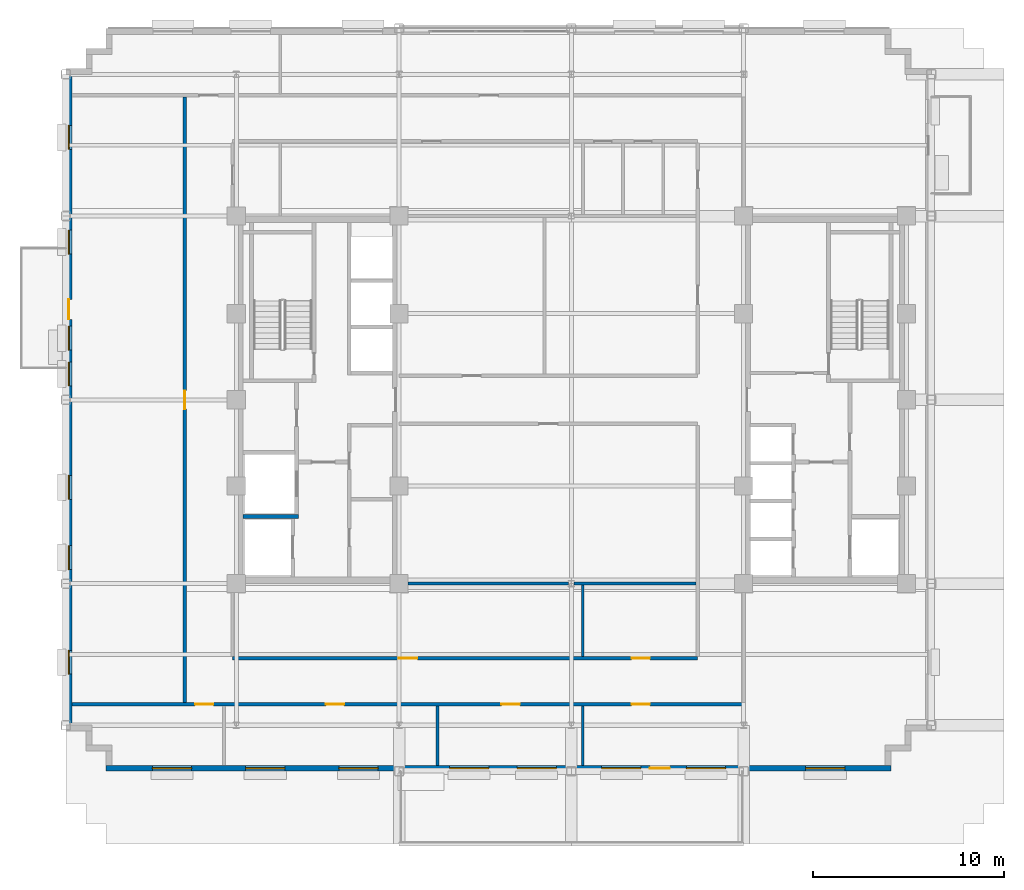
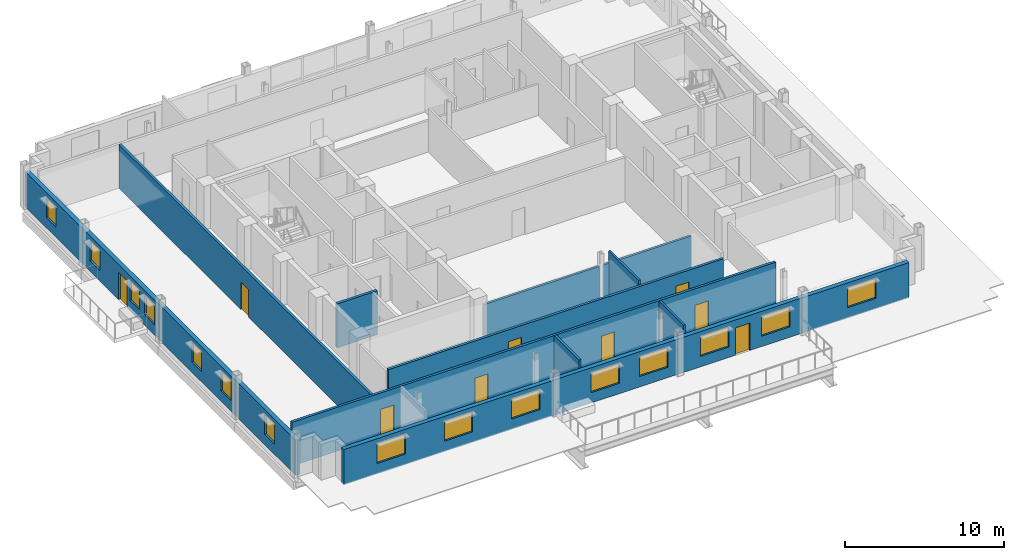
# One storey, part 7 of 16: 15 windows, 11 walls, 9 doors, 24 openings.
"""IFC4 building model written with IfcOpenShell, lengths in metres."""

from ifc_helpers import new_model, si_unit, direction, frame, frame_2d, origin, place, context, subcontext, project, spatial, rectangle, extrude, source, transform, mapped, material, layer, layer_set, type_object, type_shapes, element, fill, save


model = new_model("IFC4")

# Units and contexts
model_context = context("Model", 3, precision=1e-05, world=origin(), true_north=direction((0.0, 1.0)))
body_context = subcontext(model_context, "Body", "Model", "MODEL_VIEW")
ifc_project = project(units=[si_unit("LENGTHUNIT", "METRE"), si_unit("AREAUNIT", "SQUARE_METRE"), si_unit("VOLUMEUNIT", "CUBIC_METRE"), si_unit("PLANEANGLEUNIT", "RADIAN"), si_unit("MASSUNIT", "GRAM", prefix="KILO")], contexts=[model_context])

# Site, building, storey
site_placement = place(None, origin())
site = spatial("IfcSite", under=ifc_project, at=site_placement, CompositionType="ELEMENT")
building_placement = place(site_placement, origin())
building = spatial("IfcBuilding", under=site, at=building_placement, Name="Nuvemarco Arch Tower", CompositionType="ELEMENT")
storey_placement = place(building_placement, frame((0.0, 0.0, 209.14990234375)))
storey = spatial("IfcBuildingStorey", under=building, at=storey_placement, Name="L55", CompositionType="ELEMENT", Elevation=209.14990234375)

# Wall, openings, door, windows
ifc_material_1 = material(Name="Precast concrete C45/55", Category="concrete")
ifc_layer_1 = layer(ifc_material_1, 0.31005859375, Name="EW-UPP-310")
ifc_layer_set_1 = layer_set([ifc_layer_1], Name="Precast concrete C45/55")
wall_type_1 = type_object("IfcWallType", Name="EW-UPP-310", PredefinedType="STANDARD", material=ifc_layer_set_1)
wall_1_placement = place(storey_placement, frame((-24.300048828125, -19.2451171875, 0.0), z_axis=(0.0, 0.0, 1.0), x_axis=(1.0, 0.0, 0.0)))
wall_1 = element("IfcWall", 1, at=wall_1_placement, inside=storey, type_object=wall_type_1, Name="L55 exterior precast facade wall 1", PredefinedType="STANDARD", context=body_context, shape_type="SweptSolid", body=[
    extrude(rectangle(XDim=41.0, YDim=0.31005859375, at=frame_2d((20.5, 0.0))), origin(), (0.0, 0.0, 1.0), 2.705078125),
])
opening_1_placement = place(wall_1_placement, frame((29.449951171875, 0.0, 0.0), z_axis=(0.0, 0.0, 1.0), x_axis=(-1.0, 0.0, 0.0)))
opening_1 = element("IfcOpeningElement", 2, at=opening_1_placement, cuts=wall_1, Name="Opening ED-5", PredefinedType="OPENING", context=body_context, shape_type="SweptSolid", body=[
    extrude(rectangle(XDim=1.050048828125, YDim=2.10009765625, at=frame_2d((0.52490234375, 1.050048828125))), frame((0.0, 0.1650390625, 0.0), z_axis=(0.0, -1.0, 0.0), x_axis=(1.0, 0.0, 0.0)), (0.0, 0.0, 1.0), 0.330078125),
])
opening_2_placement = place(wall_1_placement, frame((2.41259765625, 0.0, 0.800048828125)))
opening_2 = element("IfcOpeningElement", 3, at=opening_2_placement, cuts=wall_1, Name="Opening WN-12", PredefinedType="OPENING", context=body_context, shape_type="SweptSolid", body=[
    extrude(rectangle(XDim=2.050048828125, YDim=1.52001953125, at=frame_2d((1.02490234375, 0.760009765625))), frame((0.0, 0.1650390625, 0.0), z_axis=(0.0, -1.0, 0.0), x_axis=(1.0, 0.0, 0.0)), (0.0, 0.0, 1.0), 0.330078125),
])
opening_3_placement = place(wall_1_placement, frame((7.28759765625, 0.0, 0.800048828125)))
opening_3 = element("IfcOpeningElement", 4, at=opening_3_placement, cuts=wall_1, Name="Opening WN-12", PredefinedType="OPENING", context=body_context, shape_type="SweptSolid", body=[
    extrude(rectangle(XDim=2.050048828125, YDim=1.52001953125, at=frame_2d((1.02490234375, 0.760009765625))), frame((0.0, 0.1650390625, 0.0), z_axis=(0.0, -1.0, 0.0), x_axis=(1.0, 0.0, 0.0)), (0.0, 0.0, 1.0), 0.330078125),
])
opening_4_placement = place(wall_1_placement, frame((12.16259765625, 0.0, 0.800048828125)))
opening_4 = element("IfcOpeningElement", 5, at=opening_4_placement, cuts=wall_1, Name="Opening WN-12", PredefinedType="OPENING", context=body_context, shape_type="SweptSolid", body=[
    extrude(rectangle(XDim=2.050048828125, YDim=1.52001953125, at=frame_2d((1.02490234375, 0.760009765625))), frame((0.0, 0.1650390625, 0.0), z_axis=(0.0, -1.0, 0.0), x_axis=(1.0, 0.0, 0.0)), (0.0, 0.0, 1.0), 0.330078125),
])
opening_5_placement = place(wall_1_placement, frame((17.9375, 0.0, 0.800048828125)))
opening_5 = element("IfcOpeningElement", 6, at=opening_5_placement, cuts=wall_1, Name="Opening WN-12", PredefinedType="OPENING", context=body_context, shape_type="SweptSolid", body=[
    extrude(rectangle(XDim=2.050048828125, YDim=1.52001953125, at=frame_2d((1.02490234375, 0.760009765625))), frame((0.0, 0.1650390625, 0.0), z_axis=(0.0, -1.0, 0.0), x_axis=(1.0, 0.0, 0.0)), (0.0, 0.0, 1.0), 0.330078125),
])
opening_6_placement = place(wall_1_placement, frame((21.46240234375, 0.0, 0.800048828125)))
opening_6 = element("IfcOpeningElement", 7, at=opening_6_placement, cuts=wall_1, Name="Opening WN-12", PredefinedType="OPENING", context=body_context, shape_type="SweptSolid", body=[
    extrude(rectangle(XDim=2.050048828125, YDim=1.52001953125, at=frame_2d((1.02490234375, 0.760009765625))), frame((0.0, 0.1650390625, 0.0), z_axis=(0.0, -1.0, 0.0), x_axis=(1.0, 0.0, 0.0)), (0.0, 0.0, 1.0), 0.330078125),
])
opening_7_placement = place(wall_1_placement, frame((25.887451171875, 0.0, 0.800048828125)))
opening_7 = element("IfcOpeningElement", 8, at=opening_7_placement, cuts=wall_1, Name="Opening WN-12", PredefinedType="OPENING", context=body_context, shape_type="SweptSolid", body=[
    extrude(rectangle(XDim=2.050048828125, YDim=1.52001953125, at=frame_2d((1.02490234375, 0.760009765625))), frame((0.0, 0.1650390625, 0.0), z_axis=(0.0, -1.0, 0.0), x_axis=(1.0, 0.0, 0.0)), (0.0, 0.0, 1.0), 0.330078125),
])
opening_8_placement = place(wall_1_placement, frame((30.3125, 0.0, 0.800048828125)))
opening_8 = element("IfcOpeningElement", 9, at=opening_8_placement, cuts=wall_1, Name="Opening WN-12", PredefinedType="OPENING", context=body_context, shape_type="SweptSolid", body=[
    extrude(rectangle(XDim=2.050048828125, YDim=1.52001953125, at=frame_2d((1.02490234375, 0.760009765625))), frame((0.0, 0.1650390625, 0.0), z_axis=(0.0, -1.0, 0.0), x_axis=(1.0, 0.0, 0.0)), (0.0, 0.0, 1.0), 0.330078125),
])
opening_9_placement = place(wall_1_placement, frame((36.53759765625, 0.0, 0.800048828125)))
opening_9 = element("IfcOpeningElement", 10, at=opening_9_placement, cuts=wall_1, Name="Opening WN-12", PredefinedType="OPENING", context=body_context, shape_type="SweptSolid", body=[
    extrude(rectangle(XDim=2.050048828125, YDim=1.52001953125, at=frame_2d((1.02490234375, 0.760009765625))), frame((0.0, 0.1650390625, 0.0), z_axis=(0.0, -1.0, 0.0), x_axis=(1.0, 0.0, 0.0)), (0.0, 0.0, 1.0), 0.330078125),
])
ifc_material_2 = material(Name="Anodised bronze and laminated glass", Category="glass")
door_type_1 = type_object("IfcDoorType", Name="DR-EXT-TERR", OperationType="NOTDEFINED", PredefinedType="DOOR", material=ifc_material_2)
shared_shape_1 = source(origin(), body_context, "Body", "SweptSolid", [
    extrude(rectangle(XDim=1.050048828125, YDim=2.10009765625, at=frame_2d((0.52490234375, 1.050048828125))), frame((0.0, 0.02490234375, 0.0), z_axis=(0.0, -1.0, 0.0), x_axis=(1.0, 0.0, 0.0)), (0.0, 0.0, 1.0), 0.050048828125),
])
type_shapes(door_type_1, [shared_shape_1])
door_1_placement = place(opening_1_placement, origin())
door_1 = element("IfcDoor", 11, at=door_1_placement, inside=storey, type_object=door_type_1, Name="L55 setback terrace access door", OperationType="SINGLE_SWING_RIGHT", OverallHeight=2.10009765625, OverallWidth=1.050048828125, PredefinedType="DOOR", context=body_context, shape_type="MappedRepresentation", body=[
    mapped(shared_shape_1, transform((0.0, 0.0, 0.0), scale=1.0)),
])
fill(opening_1, door_1)
ifc_material_3 = material(Name="Insulated solar-control glass", Category="glass")
window_type_1 = type_object("IfcWindowType", Name="WN-SET-2050x1520", PartitioningType="DOUBLE_PANEL_VERTICAL", PredefinedType="WINDOW", material=ifc_material_3)
shared_shape_2 = source(origin(), body_context, "Body", "SweptSolid", [
    extrude(rectangle(XDim=2.050048828125, YDim=1.52001953125, at=frame_2d((1.02490234375, 0.760009765625))), frame((0.0, 0.030029296875, 0.0), z_axis=(0.0, -1.0, 0.0), x_axis=(1.0, 0.0, 0.0)), (0.0, 0.0, 1.0), 0.06005859375),
])
type_shapes(window_type_1, [shared_shape_2])
window_1_placement = place(opening_2_placement, origin())
window_1 = element("IfcWindow", 12, at=window_1_placement, inside=storey, type_object=window_type_1, Name="L55 punched facade window 1", OverallHeight=1.52001953125, OverallWidth=2.050048828125, PartitioningType="SINGLE_PANEL", PredefinedType="WINDOW", context=body_context, shape_type="MappedRepresentation", body=[
    mapped(shared_shape_2, transform((0.0, 0.0, 0.0), scale=1.0)),
])
fill(opening_2, window_1)
window_2_placement = place(opening_3_placement, origin())
window_2 = element("IfcWindow", 13, at=window_2_placement, inside=storey, type_object=window_type_1, Name="L55 punched facade window 2", OverallHeight=1.52001953125, OverallWidth=2.050048828125, PartitioningType="SINGLE_PANEL", PredefinedType="WINDOW", context=body_context, shape_type="MappedRepresentation", body=[
    mapped(shared_shape_2, transform((0.0, 0.0, 0.0), scale=1.0)),
])
fill(opening_3, window_2)
window_3_placement = place(opening_4_placement, origin())
window_3 = element("IfcWindow", 14, at=window_3_placement, inside=storey, type_object=window_type_1, Name="L55 punched facade window 3", OverallHeight=1.52001953125, OverallWidth=2.050048828125, PartitioningType="SINGLE_PANEL", PredefinedType="WINDOW", context=body_context, shape_type="MappedRepresentation", body=[
    mapped(shared_shape_2, transform((0.0, 0.0, 0.0), scale=1.0)),
])
fill(opening_4, window_3)
window_4_placement = place(opening_5_placement, origin())
window_4 = element("IfcWindow", 15, at=window_4_placement, inside=storey, type_object=window_type_1, Name="L55 punched facade window 4", OverallHeight=1.52001953125, OverallWidth=2.050048828125, PartitioningType="SINGLE_PANEL", PredefinedType="WINDOW", context=body_context, shape_type="MappedRepresentation", body=[
    mapped(shared_shape_2, transform((0.0, 0.0, 0.0), scale=1.0)),
])
fill(opening_5, window_4)
window_5_placement = place(opening_6_placement, origin())
window_5 = element("IfcWindow", 16, at=window_5_placement, inside=storey, type_object=window_type_1, Name="L55 punched facade window 5", OverallHeight=1.52001953125, OverallWidth=2.050048828125, PartitioningType="SINGLE_PANEL", PredefinedType="WINDOW", context=body_context, shape_type="MappedRepresentation", body=[
    mapped(shared_shape_2, transform((0.0, 0.0, 0.0), scale=1.0)),
])
fill(opening_6, window_5)
window_6_placement = place(opening_7_placement, origin())
window_6 = element("IfcWindow", 17, at=window_6_placement, inside=storey, type_object=window_type_1, Name="L55 punched facade window 6", OverallHeight=1.52001953125, OverallWidth=2.050048828125, PartitioningType="SINGLE_PANEL", PredefinedType="WINDOW", context=body_context, shape_type="MappedRepresentation", body=[
    mapped(shared_shape_2, transform((0.0, 0.0, 0.0), scale=1.0)),
])
fill(opening_7, window_6)
window_7_placement = place(opening_8_placement, origin())
window_7 = element("IfcWindow", 18, at=window_7_placement, inside=storey, type_object=window_type_1, Name="L55 punched facade window 7", OverallHeight=1.52001953125, OverallWidth=2.050048828125, PartitioningType="SINGLE_PANEL", PredefinedType="WINDOW", context=body_context, shape_type="MappedRepresentation", body=[
    mapped(shared_shape_2, transform((0.0, 0.0, 0.0), scale=1.0)),
])
fill(opening_8, window_7)
window_8_placement = place(opening_9_placement, origin())
window_8 = element("IfcWindow", 19, at=window_8_placement, inside=storey, type_object=window_type_1, Name="L55 punched facade window 8", OverallHeight=1.52001953125, OverallWidth=2.050048828125, PartitioningType="SINGLE_PANEL", PredefinedType="WINDOW", context=body_context, shape_type="MappedRepresentation", body=[
    mapped(shared_shape_2, transform((0.0, 0.0, 0.0), scale=1.0)),
])
fill(opening_9, window_8)

wall_2_placement = place(storey_placement, frame((-26.2451171875, -16.993896484375, 0.0), z_axis=(0.0, 0.0, 1.0), x_axis=(0.0, 1.0, 0.0)))
wall_2 = element("IfcWall", 20, at=wall_2_placement, inside=storey, type_object=wall_type_1, Name="L55 exterior precast facade wall 16", PredefinedType="STANDARD", context=body_context, shape_type="SweptSolid", body=[
    extrude(rectangle(XDim=33.98779296875, YDim=0.31005859375, at=frame_2d((16.993896484375, 0.0))), origin(), (0.0, 0.0, 1.0), 2.705078125),
])
opening_10_placement = place(wall_2_placement, frame((21.194091796875, 0.0, 0.0)))
opening_10 = element("IfcOpeningElement", 21, at=opening_10_placement, cuts=wall_2, Name="Opening ED-5", PredefinedType="OPENING", context=body_context, shape_type="SweptSolid", body=[
    extrude(rectangle(XDim=1.050048828125, YDim=2.10009765625, at=frame_2d((0.52490234375, 1.050048828125))), frame((0.0, 0.1650390625, 0.0), z_axis=(0.0, -1.0, 0.0), x_axis=(1.0, 0.0, 0.0)), (0.0, 0.0, 1.0), 0.330078125),
])
opening_11_placement = place(wall_2_placement, frame((2.659912109375, 0.0, 0.800048828125)))
opening_11 = element("IfcOpeningElement", 22, at=opening_11_placement, cuts=wall_2, Name="Opening WN-13", PredefinedType="OPENING", context=body_context, shape_type="SweptSolid", body=[
    extrude(rectangle(XDim=1.25, YDim=1.52001953125, at=frame_2d((0.625, 0.760009765625))), frame((0.0, 0.1650390625, 0.0), z_axis=(0.0, -1.0, 0.0), x_axis=(1.0, 0.0, 0.0)), (0.0, 0.0, 1.0), 0.330078125),
])
opening_12_placement = place(wall_2_placement, frame((8.129638671875, 0.0, 0.800048828125)))
opening_12 = element("IfcOpeningElement", 23, at=opening_12_placement, cuts=wall_2, Name="Opening WN-13", PredefinedType="OPENING", context=body_context, shape_type="SweptSolid", body=[
    extrude(rectangle(XDim=1.25, YDim=1.52001953125, at=frame_2d((0.625, 0.760009765625))), frame((0.0, 0.1650390625, 0.0), z_axis=(0.0, -1.0, 0.0), x_axis=(1.0, 0.0, 0.0)), (0.0, 0.0, 1.0), 0.330078125),
])
opening_13_placement = place(wall_2_placement, frame((11.79931640625, 0.0, 0.800048828125)))
opening_13 = element("IfcOpeningElement", 24, at=opening_13_placement, cuts=wall_2, Name="Opening WN-13", PredefinedType="OPENING", context=body_context, shape_type="SweptSolid", body=[
    extrude(rectangle(XDim=1.25, YDim=1.52001953125, at=frame_2d((0.625, 0.760009765625))), frame((0.0, 0.1650390625, 0.0), z_axis=(0.0, -1.0, 0.0), x_axis=(1.0, 0.0, 0.0)), (0.0, 0.0, 1.0), 0.330078125),
])
opening_14_placement = place(wall_2_placement, frame((17.718994140625, 0.0, 0.800048828125)))
opening_14 = element("IfcOpeningElement", 25, at=opening_14_placement, cuts=wall_2, Name="Opening WN-13", PredefinedType="OPENING", context=body_context, shape_type="SweptSolid", body=[
    extrude(rectangle(XDim=1.25, YDim=1.52001953125, at=frame_2d((0.625, 0.760009765625))), frame((0.0, 0.1650390625, 0.0), z_axis=(0.0, -1.0, 0.0), x_axis=(1.0, 0.0, 0.0)), (0.0, 0.0, 1.0), 0.330078125),
])
opening_15_placement = place(wall_2_placement, frame((19.588623046875, 0.0, 0.800048828125)))
opening_15 = element("IfcOpeningElement", 26, at=opening_15_placement, cuts=wall_2, Name="Opening WN-13", PredefinedType="OPENING", context=body_context, shape_type="SweptSolid", body=[
    extrude(rectangle(XDim=1.25, YDim=1.52001953125, at=frame_2d((0.625, 0.760009765625))), frame((0.0, 0.1650390625, 0.0), z_axis=(0.0, -1.0, 0.0), x_axis=(1.0, 0.0, 0.0)), (0.0, 0.0, 1.0), 0.330078125),
])
opening_16_placement = place(wall_2_placement, frame((24.6083984375, 0.0, 0.800048828125)))
opening_16 = element("IfcOpeningElement", 27, at=opening_16_placement, cuts=wall_2, Name="Opening WN-13", PredefinedType="OPENING", context=body_context, shape_type="SweptSolid", body=[
    extrude(rectangle(XDim=1.25, YDim=1.52001953125, at=frame_2d((0.625, 0.760009765625))), frame((0.0, 0.1650390625, 0.0), z_axis=(0.0, -1.0, 0.0), x_axis=(1.0, 0.0, 0.0)), (0.0, 0.0, 1.0), 0.330078125),
])
opening_17_placement = place(wall_2_placement, frame((30.078125, 0.0, 0.800048828125)))
opening_17 = element("IfcOpeningElement", 28, at=opening_17_placement, cuts=wall_2, Name="Opening WN-13", PredefinedType="OPENING", context=body_context, shape_type="SweptSolid", body=[
    extrude(rectangle(XDim=1.25, YDim=1.52001953125, at=frame_2d((0.625, 0.760009765625))), frame((0.0, 0.1650390625, 0.0), z_axis=(0.0, -1.0, 0.0), x_axis=(1.0, 0.0, 0.0)), (0.0, 0.0, 1.0), 0.330078125),
])
door_2_placement = place(opening_10_placement, origin())
door_2 = element("IfcDoor", 29, at=door_2_placement, inside=storey, type_object=door_type_1, Name="L55 spiral terrace access door", OperationType="SINGLE_SWING_RIGHT", OverallHeight=2.10009765625, OverallWidth=1.050048828125, PredefinedType="DOOR", context=body_context, shape_type="MappedRepresentation", body=[
    mapped(shared_shape_1, transform((0.0, 0.0, 0.0), scale=1.0)),
])
fill(opening_10, door_2)
window_type_2 = type_object("IfcWindowType", Name="WN-SET-1250x1520", PartitioningType="SINGLE_PANEL", PredefinedType="WINDOW", material=ifc_material_3)
shared_shape_3 = source(origin(), body_context, "Body", "SweptSolid", [
    extrude(rectangle(XDim=1.25, YDim=1.52001953125, at=frame_2d((0.625, 0.760009765625))), frame((0.0, 0.030029296875, 0.0), z_axis=(0.0, -1.0, 0.0), x_axis=(1.0, 0.0, 0.0)), (0.0, 0.0, 1.0), 0.06005859375),
])
type_shapes(window_type_2, [shared_shape_3])
window_9_placement = place(opening_11_placement, origin())
window_9 = element("IfcWindow", 30, at=window_9_placement, inside=storey, type_object=window_type_2, Name="L55 punched facade window 1", OverallHeight=1.52001953125, OverallWidth=1.25, PartitioningType="SINGLE_PANEL", PredefinedType="WINDOW", context=body_context, shape_type="MappedRepresentation", body=[
    mapped(shared_shape_3, transform((0.0, 0.0, 0.0), scale=1.0)),
])
fill(opening_11, window_9)
window_10_placement = place(opening_12_placement, origin())
window_10 = element("IfcWindow", 31, at=window_10_placement, inside=storey, type_object=window_type_2, Name="L55 punched facade window 2", OverallHeight=1.52001953125, OverallWidth=1.25, PartitioningType="SINGLE_PANEL", PredefinedType="WINDOW", context=body_context, shape_type="MappedRepresentation", body=[
    mapped(shared_shape_3, transform((0.0, 0.0, 0.0), scale=1.0)),
])
fill(opening_12, window_10)
window_11_placement = place(opening_13_placement, origin())
window_11 = element("IfcWindow", 32, at=window_11_placement, inside=storey, type_object=window_type_2, Name="L55 punched facade window 3", OverallHeight=1.52001953125, OverallWidth=1.25, PartitioningType="SINGLE_PANEL", PredefinedType="WINDOW", context=body_context, shape_type="MappedRepresentation", body=[
    mapped(shared_shape_3, transform((0.0, 0.0, 0.0), scale=1.0)),
])
fill(opening_13, window_11)
window_12_placement = place(opening_14_placement, origin())
window_12 = element("IfcWindow", 33, at=window_12_placement, inside=storey, type_object=window_type_2, Name="L55 punched facade window 4", OverallHeight=1.52001953125, OverallWidth=1.25, PartitioningType="SINGLE_PANEL", PredefinedType="WINDOW", context=body_context, shape_type="MappedRepresentation", body=[
    mapped(shared_shape_3, transform((0.0, 0.0, 0.0), scale=1.0)),
])
fill(opening_14, window_12)
window_13_placement = place(opening_15_placement, origin())
window_13 = element("IfcWindow", 34, at=window_13_placement, inside=storey, type_object=window_type_2, Name="L55 punched facade window 5", OverallHeight=1.52001953125, OverallWidth=1.25, PartitioningType="SINGLE_PANEL", PredefinedType="WINDOW", context=body_context, shape_type="MappedRepresentation", body=[
    mapped(shared_shape_3, transform((0.0, 0.0, 0.0), scale=1.0)),
])
fill(opening_15, window_13)
window_14_placement = place(opening_16_placement, origin())
window_14 = element("IfcWindow", 35, at=window_14_placement, inside=storey, type_object=window_type_2, Name="L55 punched facade window 6", OverallHeight=1.52001953125, OverallWidth=1.25, PartitioningType="SINGLE_PANEL", PredefinedType="WINDOW", context=body_context, shape_type="MappedRepresentation", body=[
    mapped(shared_shape_3, transform((0.0, 0.0, 0.0), scale=1.0)),
])
fill(opening_16, window_14)
window_15_placement = place(opening_17_placement, origin())
window_15 = element("IfcWindow", 36, at=window_15_placement, inside=storey, type_object=window_type_2, Name="L55 punched facade window 7", OverallHeight=1.52001953125, OverallWidth=1.25, PartitioningType="SINGLE_PANEL", PredefinedType="WINDOW", context=body_context, shape_type="MappedRepresentation", body=[
    mapped(shared_shape_3, transform((0.0, 0.0, 0.0), scale=1.0)),
])
fill(opening_17, window_15)

# Wall, openings, doors
ifc_material_4 = material(Name="Fire-rated gypsum drywall partition")
ifc_layer_2 = layer(ifc_material_4, 0.179931640625, Name="WL-CORR-180")
ifc_layer_set_2 = layer_set([ifc_layer_2], Name="Fire-rated gypsum drywall partition")
wall_type_2 = type_object("IfcWallType", Name="WL-CORR-180", PredefinedType="PARTITIONING", material=ifc_layer_set_2)
wall_3_placement = place(storey_placement, frame((-26.090087890625, -15.89990234375, 0.0), z_axis=(0.0, 0.0, 1.0), x_axis=(1.0, 0.0, 0.0)))
wall_3 = element("IfcWall", 37, at=wall_3_placement, inside=storey, type_object=wall_type_2, Name="L55 interior wall IW-L55-001", PredefinedType="PARTITIONING", context=body_context, shape_type="SweptSolid", body=[
    extrude(rectangle(XDim=35.090087890625, YDim=0.179931640625, at=frame_2d((17.544921875, 0.0))), origin(), (0.0, 0.0, 1.0), 3.360107421875),
])
opening_18_placement = place(wall_3_placement, frame((13.264892578125, 0.0, 0.0)))
opening_18 = element("IfcOpeningElement", 38, at=opening_18_placement, cuts=wall_3, Name="Opening FD-5", PredefinedType="OPENING", context=body_context, shape_type="SweptSolid", body=[
    extrude(rectangle(XDim=0.9599609375, YDim=2.10009765625, at=frame_2d((0.47998046875, 1.050048828125))), frame((0.0, 0.099853515625, 0.0), z_axis=(0.0, -1.0, 0.0), x_axis=(1.0, 0.0, 0.0)), (0.0, 0.0, 1.0), 0.199951171875),
])
opening_19_placement = place(wall_3_placement, frame((22.43994140625, 0.0, 0.0)))
opening_19 = element("IfcOpeningElement", 39, at=opening_19_placement, cuts=wall_3, Name="Opening FD-5", PredefinedType="OPENING", context=body_context, shape_type="SweptSolid", body=[
    extrude(rectangle(XDim=0.9599609375, YDim=2.10009765625, at=frame_2d((0.47998046875, 1.050048828125))), frame((0.0, 0.099853515625, 0.0), z_axis=(0.0, -1.0, 0.0), x_axis=(1.0, 0.0, 0.0)), (0.0, 0.0, 1.0), 0.199951171875),
])
opening_20_placement = place(wall_3_placement, frame((29.235107421875, 0.0, 0.0)))
opening_20 = element("IfcOpeningElement", 40, at=opening_20_placement, cuts=wall_3, Name="Opening FD-5", PredefinedType="OPENING", context=body_context, shape_type="SweptSolid", body=[
    extrude(rectangle(XDim=0.9599609375, YDim=2.10009765625, at=frame_2d((0.47998046875, 1.050048828125))), frame((0.0, 0.099853515625, 0.0), z_axis=(0.0, -1.0, 0.0), x_axis=(1.0, 0.0, 0.0)), (0.0, 0.0, 1.0), 0.199951171875),
])
opening_21_placement = place(wall_3_placement, frame((6.43505859375, 0.0, 0.0)))
opening_21 = element("IfcOpeningElement", 41, at=opening_21_placement, cuts=wall_3, Name="Opening FD-5", PredefinedType="OPENING", context=body_context, shape_type="SweptSolid", body=[
    extrude(rectangle(XDim=0.9599609375, YDim=2.10009765625, at=frame_2d((0.47998046875, 1.050048828125))), frame((0.0, 0.099853515625, 0.0), z_axis=(0.0, -1.0, 0.0), x_axis=(1.0, 0.0, 0.0)), (0.0, 0.0, 1.0), 0.199951171875),
])
ifc_material_5 = material(Name="Timber fire door", Category="wood")
door_type_2 = type_object("IfcDoorType", Name="DR-CORR-FD", OperationType="NOTDEFINED", PredefinedType="DOOR", material=ifc_material_5)
shared_shape_4 = source(origin(), body_context, "Body", "SweptSolid", [
    extrude(rectangle(XDim=0.9599609375, YDim=2.10009765625, at=frame_2d((0.47998046875, 1.050048828125))), frame((0.0, 0.02490234375, 0.0), z_axis=(0.0, -1.0, 0.0), x_axis=(1.0, 0.0, 0.0)), (0.0, 0.0, 1.0), 0.050048828125),
])
type_shapes(door_type_2, [shared_shape_4])
door_3_placement = place(opening_18_placement, origin())
door_3 = element("IfcDoor", 42, at=door_3_placement, inside=storey, type_object=door_type_2, Name="L55 door DR-L55-S_2", OperationType="SINGLE_SWING_RIGHT", OverallHeight=2.10009765625, OverallWidth=0.9599609375, PredefinedType="DOOR", context=body_context, shape_type="MappedRepresentation", body=[
    mapped(shared_shape_4, transform((0.0, 0.0, 0.0), scale=1.0)),
])
fill(opening_18, door_3)
door_4_placement = place(opening_19_placement, origin())
door_4 = element("IfcDoor", 43, at=door_4_placement, inside=storey, type_object=door_type_2, Name="L55 door DR-L55-S_3", OperationType="SINGLE_SWING_RIGHT", OverallHeight=2.10009765625, OverallWidth=0.9599609375, PredefinedType="DOOR", context=body_context, shape_type="MappedRepresentation", body=[
    mapped(shared_shape_4, transform((0.0, 0.0, 0.0), scale=1.0)),
])
fill(opening_19, door_4)
door_5_placement = place(opening_20_placement, origin())
door_5 = element("IfcDoor", 44, at=door_5_placement, inside=storey, type_object=door_type_2, Name="L55 door DR-L55-S_4", OperationType="SINGLE_SWING_RIGHT", OverallHeight=2.10009765625, OverallWidth=0.9599609375, PredefinedType="DOOR", context=body_context, shape_type="MappedRepresentation", body=[
    mapped(shared_shape_4, transform((0.0, 0.0, 0.0), scale=1.0)),
])
fill(opening_20, door_5)
door_6_placement = place(opening_21_placement, origin())
door_6 = element("IfcDoor", 45, at=door_6_placement, inside=storey, type_object=door_type_2, Name="L55 door DR-L55-S_1", OperationType="SINGLE_SWING_LEFT", OverallHeight=2.10009765625, OverallWidth=0.9599609375, PredefinedType="DOOR", context=body_context, shape_type="MappedRepresentation", body=[
    mapped(shared_shape_4, transform((0.0, 0.0, 0.0), scale=1.0)),
])
fill(opening_21, door_6)

wall_4_placement = place(storey_placement, frame((-17.699951171875, -13.5, 0.0), z_axis=(0.0, 0.0, 1.0), x_axis=(1.0, 0.0, 0.0)))
wall_4 = element("IfcWall", 46, at=wall_4_placement, inside=storey, type_object=wall_type_2, Name="L55 interior wall IW-L55-002", PredefinedType="PARTITIONING", context=body_context, shape_type="SweptSolid", body=[
    extrude(rectangle(XDim=24.300048828125, YDim=0.179931640625, at=frame_2d((12.14990234375, 0.0))), origin(), (0.0, 0.0, 1.0), 3.008056640625),
])
opening_22_placement = place(wall_4_placement, frame((8.695068359375, 0.0, 0.0)))
opening_22 = element("IfcOpeningElement", 47, at=opening_22_placement, cuts=wall_4, Name="Opening FD-5", PredefinedType="OPENING", context=body_context, shape_type="SweptSolid", body=[
    extrude(rectangle(XDim=0.9599609375, YDim=2.10009765625, at=frame_2d((0.47998046875, 1.050048828125))), frame((0.0, 0.099853515625, 0.0), z_axis=(0.0, -1.0, 0.0), x_axis=(1.0, 0.0, 0.0)), (0.0, 0.0, 1.0), 0.199951171875),
])
opening_23_placement = place(wall_4_placement, frame((20.844970703125, 0.0, 0.0)))
opening_23 = element("IfcOpeningElement", 48, at=opening_23_placement, cuts=wall_4, Name="Opening FD-5", PredefinedType="OPENING", context=body_context, shape_type="SweptSolid", body=[
    extrude(rectangle(XDim=0.9599609375, YDim=2.10009765625, at=frame_2d((0.47998046875, 1.050048828125))), frame((0.0, 0.099853515625, 0.0), z_axis=(0.0, -1.0, 0.0), x_axis=(1.0, 0.0, 0.0)), (0.0, 0.0, 1.0), 0.199951171875),
])
door_7_placement = place(opening_22_placement, origin())
door_7 = element("IfcDoor", 49, at=door_7_placement, inside=storey, type_object=door_type_2, Name="L55 door DR-L55-IN_S1", OperationType="SINGLE_SWING_LEFT", OverallHeight=2.10009765625, OverallWidth=0.9599609375, PredefinedType="DOOR", context=body_context, shape_type="MappedRepresentation", body=[
    mapped(shared_shape_4, transform((0.0, 0.0, 0.0), scale=1.0)),
])
fill(opening_22, door_7)
door_8_placement = place(opening_23_placement, origin())
door_8 = element("IfcDoor", 50, at=door_8_placement, inside=storey, type_object=door_type_2, Name="L55 door DR-L55-S_4_2", OperationType="SINGLE_SWING_LEFT", OverallHeight=2.10009765625, OverallWidth=0.9599609375, PredefinedType="DOOR", context=body_context, shape_type="MappedRepresentation", body=[
    mapped(shared_shape_4, transform((0.0, 0.0, 0.0), scale=1.0)),
])
fill(opening_23, door_8)

# Wall, opening, door
wall_5_placement = place(storey_placement, frame((-20.199951171875, -15.81396484375, 0.0), z_axis=(0.0, 0.0, 1.0), x_axis=(0.0, 1.0, 0.0)))
wall_5 = element("IfcWall", 51, at=wall_5_placement, inside=storey, type_object=wall_type_2, Name="L55 interior wall IW-L55-011", PredefinedType="PARTITIONING", context=body_context, shape_type="SweptSolid", body=[
    extrude(rectangle(XDim=31.6279296875, YDim=0.179931640625, at=frame_2d((15.81396484375, 0.0))), origin(), (0.0, 0.0, 1.0), 3.360107421875),
])
opening_24_placement = place(wall_5_placement, frame((15.333984375, 0.0, 0.0)))
opening_24 = element("IfcOpeningElement", 52, at=opening_24_placement, cuts=wall_5, Name="Opening FD-5", PredefinedType="OPENING", context=body_context, shape_type="SweptSolid", body=[
    extrude(rectangle(XDim=0.9599609375, YDim=2.10009765625, at=frame_2d((0.47998046875, 1.050048828125))), frame((0.0, 0.099853515625, 0.0), z_axis=(0.0, -1.0, 0.0), x_axis=(1.0, 0.0, 0.0)), (0.0, 0.0, 1.0), 0.199951171875),
])
door_9_placement = place(opening_24_placement, origin())
door_9 = element("IfcDoor", 53, at=door_9_placement, inside=storey, type_object=door_type_2, Name="L55 door DR-L55-W_1", OperationType="SINGLE_SWING_LEFT", OverallHeight=2.10009765625, OverallWidth=0.9599609375, PredefinedType="DOOR", context=body_context, shape_type="MappedRepresentation", body=[
    mapped(shared_shape_4, transform((0.0, 0.0, 0.0), scale=1.0)),
])
fill(opening_24, door_9)

# Walls
ifc_material_6 = material(Name="Gypsum plasterboard partition")
ifc_layer_3 = layer(ifc_material_6, 0.139892578125, Name="WL-ROOM-140")
ifc_layer_set_3 = layer_set([ifc_layer_3], Name="Gypsum plasterboard partition")
wall_type_3 = type_object("IfcWallType", Name="WL-ROOM-140", PredefinedType="PARTITIONING", material=ifc_layer_set_3)
wall_6_placement = place(storey_placement, frame((0.60009765625, -19.090087890625, 0.0), z_axis=(0.0, 0.0, 1.0), x_axis=(0.0, 1.0, 0.0)))
element("IfcWall", 54, at=wall_6_placement, inside=storey, type_object=wall_type_3, Name="L55 interior wall IW-L55-019", PredefinedType="PARTITIONING", context=body_context, shape_type="SweptSolid", body=[
    extrude(rectangle(XDim=3.10400390625, YDim=0.139892578125, at=frame_2d((1.552001953125, 0.0))), origin(), (0.0, 0.0, 1.0), 3.360107421875),
])
wall_7_placement = place(storey_placement, frame((0.60009765625, -13.4140625, 0.0), z_axis=(0.0, 0.0, 1.0), x_axis=(0.0, 1.0, 0.0)))
element("IfcWall", 55, at=wall_7_placement, inside=storey, type_object=wall_type_3, Name="L55 interior wall IW-L55-020", PredefinedType="PARTITIONING", context=body_context, shape_type="SweptSolid", body=[
    extrude(rectangle(XDim=3.738037109375, YDim=0.139892578125, at=frame_2d((1.869140625, 0.0))), origin(), (0.0, 0.0, 1.0), 3.360107421875),
])
ifc_material_7 = material(Name="Concrete C50/60", Category="concrete")
ifc_layer_4 = layer(ifc_material_7, 0.199951171875, Name="WL-SHAFT-220")
ifc_layer_set_4 = layer_set([ifc_layer_4], Name="Concrete C50/60")
wall_type_4 = type_object("IfcWallType", Name="WL-SHAFT-220", PredefinedType="SHEAR", material=ifc_layer_set_4)
wall_8_placement = place(storey_placement, frame((-17.155029296875, -6.10009765625, 0.0), z_axis=(0.0, 0.0, 1.0), x_axis=(1.0, 0.0, 0.0)))
element("IfcWall", 56, at=wall_8_placement, inside=storey, type_object=wall_type_4, Name="L55 structural shaft wall SW-L55-W-SH1", PredefinedType="SHEAR", context=body_context, shape_type="SweptSolid", body=[
    extrude(rectangle(XDim=2.905029296875, YDim=0.199951171875, at=frame_2d((1.45263671875, 0.0))), origin(), (0.0, 0.0, 1.0), 3.3701171875),
])
ifc_material_8 = material(Name="Acoustic gypsum drywall partition")
ifc_layer_5 = layer(ifc_material_8, 0.159912109375, Name="WL-TENANT-160")
ifc_layer_set_5 = layer_set([ifc_layer_5], Name="Acoustic gypsum drywall partition")
wall_type_5 = type_object("IfcWallType", Name="WL-TENANT-160", PredefinedType="PARTITIONING", material=ifc_layer_set_5)
wall_9_placement = place(storey_placement, frame((-8.529052734375, -9.60009765625, 0.0), z_axis=(0.0, 0.0, 1.0), x_axis=(1.0, 0.0, 0.0)))
element("IfcWall", 57, at=wall_9_placement, inside=storey, type_object=wall_type_5, Name="L55 interior wall IW-L55-003", PredefinedType="PARTITIONING", context=body_context, shape_type="SweptSolid", body=[
    extrude(rectangle(XDim=8.378173828125, YDim=0.159912109375, at=frame_2d((4.18896484375, 0.0))), origin(), (0.0, 0.0, 1.0), 2.405029296875),
])
wall_10_placement = place(storey_placement, frame((0.15087890625, -9.60009765625, 0.0), z_axis=(0.0, 0.0, 1.0), x_axis=(1.0, 0.0, 0.0)))
element("IfcWall", 58, at=wall_10_placement, inside=storey, type_object=wall_type_5, Name="L55 interior wall IW-L55-004", PredefinedType="PARTITIONING", context=body_context, shape_type="SweptSolid", body=[
    extrude(rectangle(XDim=6.363037109375, YDim=0.159912109375, at=frame_2d((3.181640625, 0.0))), origin(), (0.0, 0.0, 1.0), 2.405029296875),
])
wall_11_placement = place(storey_placement, frame((-6.989990234375, -19.090087890625, 0.0), z_axis=(0.0, 0.0, 1.0), x_axis=(0.0, 1.0, 0.0)))
element("IfcWall", 59, at=wall_11_placement, inside=storey, type_object=wall_type_5, Name="L55 interior wall IW-L55-017", PredefinedType="PARTITIONING", context=body_context, shape_type="SweptSolid", body=[
    extrude(rectangle(XDim=3.10400390625, YDim=0.159912109375, at=frame_2d((1.552001953125, 0.0))), origin(), (0.0, 0.0, 1.0), 3.360107421875),
])

save(model, "model.ifc")
